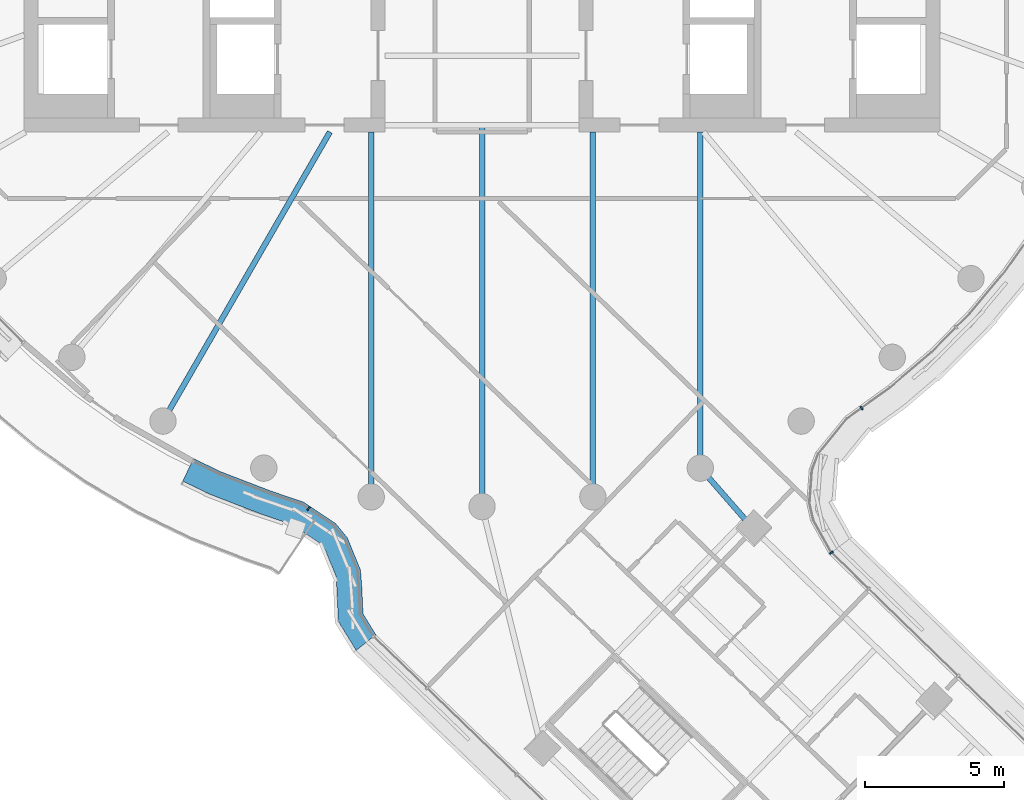
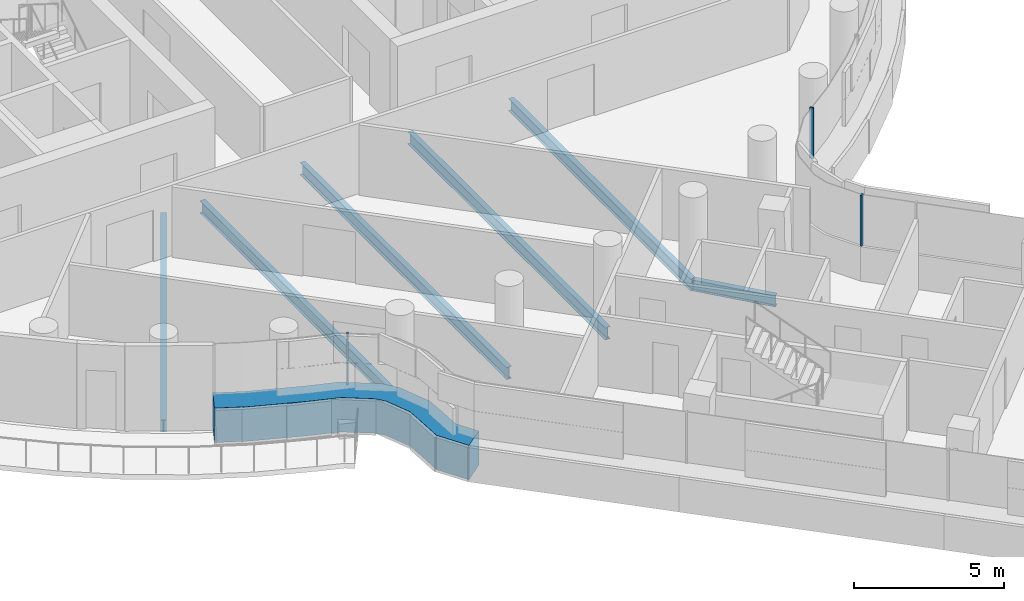
# One storey, part 6 of 31: 6 beams, 4 members, 2 elements without a shape of their own.
"""IFC4 building model written with IfcOpenShell, lengths in metres."""

from ifc_helpers import new_model, si_unit, direction, frame, origin, origin_2d, place, context, subcontext, project, spatial, polyline, rectangle, i_section, outline, extrude, material, layer, layer_set, material_profile, profile_set, type_object, element, aggregate, save


model = new_model("IFC4")

# Units and contexts
model_context = context("Model", 3, precision=1e-05, world=origin(), true_north=direction((0.0, 1.0)))
body_context = subcontext(model_context, "Body", "Model", "MODEL_VIEW")
ifc_project = project(units=[si_unit("LENGTHUNIT", "METRE"), si_unit("AREAUNIT", "SQUARE_METRE"), si_unit("VOLUMEUNIT", "CUBIC_METRE"), si_unit("PLANEANGLEUNIT", "RADIAN"), si_unit("MASSUNIT", "GRAM", prefix="KILO")], contexts=[model_context])

# Site, building, storey
site_placement = place(None, origin())
site = spatial("IfcSite", under=ifc_project, at=site_placement, CompositionType="ELEMENT")
building_placement = place(site_placement, origin())
building = spatial("IfcBuilding", under=site, at=building_placement, Name="Tamarind Cross Interchange Tower", CompositionType="ELEMENT")
storey_placement = place(building_placement, frame((0.0, 0.0, 200.5)))
storey = spatial("IfcBuildingStorey", under=building, at=storey_placement, Name="L50", CompositionType="ELEMENT", Elevation=200.5)

# Beams
ifc_material_1 = material(Name="Steel Q355B", Category="steel")
ifc_material_profile_1 = material_profile(ifc_material_1, i_section(OverallWidth=0.198974609375, OverallDepth=0.446044921875, WebThickness=0.008056640625, FlangeThickness=0.011962890625, FilletRadius=0.012939453125, at=origin_2d()), Name="HN 446x199x8x12")
ifc_profile_set_1 = profile_set([ifc_material_profile_1], Name="Steel Q355B")
beam_type_1 = type_object("IfcBeamType", Name="Composite beam HN 446x199x8x12 Q355B", PredefinedType="BEAM", material=ifc_profile_set_1)
beam_1_placement = place(storey_placement, frame((9.790283203125, -23.814208984375, -0.363037109375), z_axis=(-0.658078810286, 0.752949055018, 0.0), x_axis=(-0.752949055018, -0.658078810286, 0.0)))
element("IfcBeam", 1, at=beam_1_placement, inside=storey, type_object=beam_type_1, Name="Beam S-linkep", PredefinedType="BEAM", context=body_context, shape_type="SweptSolid", body=[
    extrude(i_section(OverallWidth=0.198974609375, OverallDepth=0.446044921875, WebThickness=0.008056640625, FlangeThickness=0.011962890625, FilletRadius=0.012939453125, at=origin_2d()), origin(), (0.0, 0.0, 1.0), 2.92333984375),
])
ifc_material_profile_2 = material_profile(ifc_material_1, i_section(OverallWidth=0.198974609375, OverallDepth=0.49609375, WebThickness=0.009033203125, FlangeThickness=0.013916015625, FilletRadius=0.012939453125, at=origin_2d()), Name="HN 496x199x9x14")
ifc_profile_set_2 = profile_set([ifc_material_profile_2], Name="Steel Q355B")
beam_type_2 = type_object("IfcBeamType", Name="Composite beam HN 496x199x9x14 Q355B", PredefinedType="BEAM", material=ifc_profile_set_2)
beam_2_placement = place(storey_placement, frame((-11.5, -19.918701171875, -0.387939453125), z_axis=(0.499993565836, 0.866029118519, 0.0), x_axis=(-0.866029118519, 0.499993565836, 0.0)))
element("IfcBeam", 2, at=beam_2_placement, inside=storey, type_object=beam_type_2, Name="Beam HH24", PredefinedType="BEAM", context=body_context, shape_type="SweptSolid", body=[
    extrude(i_section(OverallWidth=0.198974609375, OverallDepth=0.49609375, WebThickness=0.009033203125, FlangeThickness=0.013916015625, FilletRadius=0.012939453125, at=origin_2d()), origin(), (0.0, 0.0, 1.0), 12.030517578125),
])
beam_3_placement = place(storey_placement, frame((-3.993896484375, -22.650634765625, -0.387939453125), z_axis=(0.0, 1.0, 0.0), x_axis=(-1.0, 0.0, 0.0)))
element("IfcBeam", 3, at=beam_3_placement, inside=storey, type_object=beam_type_2, Name="Beam HH26", PredefinedType="BEAM", context=body_context, shape_type="SweptSolid", body=[
    extrude(i_section(OverallWidth=0.198974609375, OverallDepth=0.49609375, WebThickness=0.009033203125, FlangeThickness=0.013916015625, FilletRadius=0.012939453125, at=origin_2d()), origin(), (0.0, 0.0, 1.0), 13.150634765625),
])
beam_4_placement = place(storey_placement, frame((0.0, -23.0, -0.387939453125), z_axis=(0.0, 1.0, 0.0), x_axis=(-1.0, 0.0, 0.0)))
element("IfcBeam", 4, at=beam_4_placement, inside=storey, type_object=beam_type_2, Name="Beam HH27", PredefinedType="BEAM", context=body_context, shape_type="SweptSolid", body=[
    extrude(i_section(OverallWidth=0.198974609375, OverallDepth=0.49609375, WebThickness=0.009033203125, FlangeThickness=0.013916015625, FilletRadius=0.012939453125, at=origin_2d()), origin(), (0.0, 0.0, 1.0), 13.75),
])
beam_5_placement = place(storey_placement, frame((3.993896484375, -22.650634765625, -0.387939453125), z_axis=(0.0, 1.0, 0.0), x_axis=(-1.0, 0.0, 0.0)))
element("IfcBeam", 5, at=beam_5_placement, inside=storey, type_object=beam_type_2, Name="Beam HH28", PredefinedType="BEAM", context=body_context, shape_type="SweptSolid", body=[
    extrude(i_section(OverallWidth=0.198974609375, OverallDepth=0.49609375, WebThickness=0.009033203125, FlangeThickness=0.013916015625, FilletRadius=0.012939453125, at=origin_2d()), origin(), (0.0, 0.0, 1.0), 13.150634765625),
])
beam_6_placement = place(storey_placement, frame((7.866455078125, -21.613037109375, -0.387939453125), z_axis=(0.0, 1.0, 0.0), x_axis=(-1.0, 0.0, 0.0)))
element("IfcBeam", 6, at=beam_6_placement, inside=storey, type_object=beam_type_2, Name="Beam HH29", PredefinedType="BEAM", context=body_context, shape_type="SweptSolid", body=[
    extrude(i_section(OverallWidth=0.198974609375, OverallDepth=0.49609375, WebThickness=0.009033203125, FlangeThickness=0.013916015625, FilletRadius=0.012939453125, at=origin_2d()), origin(), (0.0, 0.0, 1.0), 12.113037109375),
])

# Curtain wall, members
ifc_material_2 = material(Name="Aluminium 6063-T6", Category="aluminium")
ifc_layer = layer(ifc_material_2, 0.139892578125)
ifc_layer_set = layer_set([ifc_layer], Name="Aluminium 6063-T6")
curtain_wall_type = type_object("IfcCurtainWallType", Name="Hotel curtain wall, 4.5 m bays", PredefinedType="NOTDEFINED", material=ifc_layer_set)
curtain_wall_1_placement = place(storey_placement, origin())
curtain_wall_1 = element("IfcCurtainWall", 7, at=curtain_wall_1_placement, inside=storey, type_object=curtain_wall_type, Name="CWS-L50-02", PredefinedType="NOTDEFINED")
ifc_material_3 = material(Name="Aluminium and insulated spandrel panel", Category="aluminium")
member_type_1 = type_object("IfcMemberType", Name="Floor-edge blade transom", PredefinedType="USERDEFINED", material=ifc_material_3)
member_1_placement = place(storey_placement, origin())
member_1 = element("IfcMember", 8, at=member_1_placement, type_object=member_type_1, Name="CWT-L50-02-1", ObjectType="TRANSOM", PredefinedType="USERDEFINED", context=body_context, shape_type="SweptSolid", body=[
    extrude(outline(polyline([(-10.394287109375, -21.27197265625), (-9.425048828125, -21.74072265625), (-7.591552734375, -22.447021484375), (-6.437744140625, -22.83740234375), (-5.275146484375, -23.611572265625), (-4.854736328125, -24.12548828125), (-4.38134765625, -25.2861328125), (-4.331787109375, -25.9365234375), (-4.290771484375, -26.863037109375), (-3.828857421875, -27.617431640625), (-4.536376953125, -28.18505859375), (-5.1796875, -27.135009765625), (-5.230224609375, -25.990478515625), (-5.267822265625, -25.495361328125), (-5.636962890625, -24.590576171875), (-5.88623046875, -24.285888671875), (-6.838134765625, -23.652099609375), (-7.89794921875, -23.29345703125), (-9.783203125, -22.567138671875), (-10.78955078125, -22.08056640625), (-10.394287109375, -21.27197265625)])), origin(), (0.0, 0.0, 1.0), 1.39990234375),
])
ifc_material_profile_3 = material_profile(ifc_material_2, rectangle(XDim=0.06005859375, YDim=0.139892578125, at=origin_2d()), Name="Mullion CW2")
ifc_profile_set_3 = profile_set([ifc_material_profile_3], Name="Aluminium 6063-T6")
member_type_2 = type_object("IfcMemberType", Name="Mullion CW2", PredefinedType="MULLION", material=ifc_profile_set_3)
member_2_placement = place(storey_placement, frame((-6.260009765625, -23.075927734375, 1.39990234375), z_axis=(0.0, 0.0, 1.0), x_axis=(0.832400058238, -0.554175191655, 0.0)))
member_2 = element("IfcMember", 9, at=member_2_placement, type_object=member_type_2, Name="CWM-L50-02-04", PredefinedType="MULLION", context=body_context, shape_type="SweptSolid", body=[
    extrude(rectangle(XDim=0.06005859375, YDim=0.139892578125, at=origin_2d()), origin(), (0.0, 0.0, 1.0), 2.06005859375),
])
aggregate(curtain_wall_1, [member_2, member_1])

curtain_wall_2_placement = place(storey_placement, origin())
curtain_wall_2 = element("IfcCurtainWall", 10, at=curtain_wall_2_placement, inside=storey, type_object=curtain_wall_type, Name="CWS-L50-06", PredefinedType="NOTDEFINED")
member_3_placement = place(storey_placement, frame((12.59326171875, -24.656982421875, 1.39990234375), z_axis=(0.0, 0.0, 1.0), x_axis=(-0.608576095075, 0.793495517633, 0.0)))
member_3 = element("IfcMember", 11, at=member_3_placement, type_object=member_type_2, Name="CWM-L50-06-00", PredefinedType="MULLION", context=body_context, shape_type="SweptSolid", body=[
    extrude(rectangle(XDim=0.06005859375, YDim=0.139892578125, at=origin_2d()), origin(), (0.0, 0.0, 1.0), 2.06005859375),
])
member_4_placement = place(storey_placement, frame((13.678955078125, -19.448486328125, 1.39990234375), z_axis=(0.0, 0.0, 1.0), x_axis=(0.811217394298, 0.584744678632, 0.0)))
member_4 = element("IfcMember", 12, at=member_4_placement, type_object=member_type_2, Name="CWM-L50-06-01", PredefinedType="MULLION", context=body_context, shape_type="SweptSolid", body=[
    extrude(rectangle(XDim=0.06005859375, YDim=0.139892578125, at=origin_2d()), origin(), (0.0, 0.0, 1.0), 2.06005859375),
])
aggregate(curtain_wall_2, [member_3, member_4])

save(model, "model.ifc")
